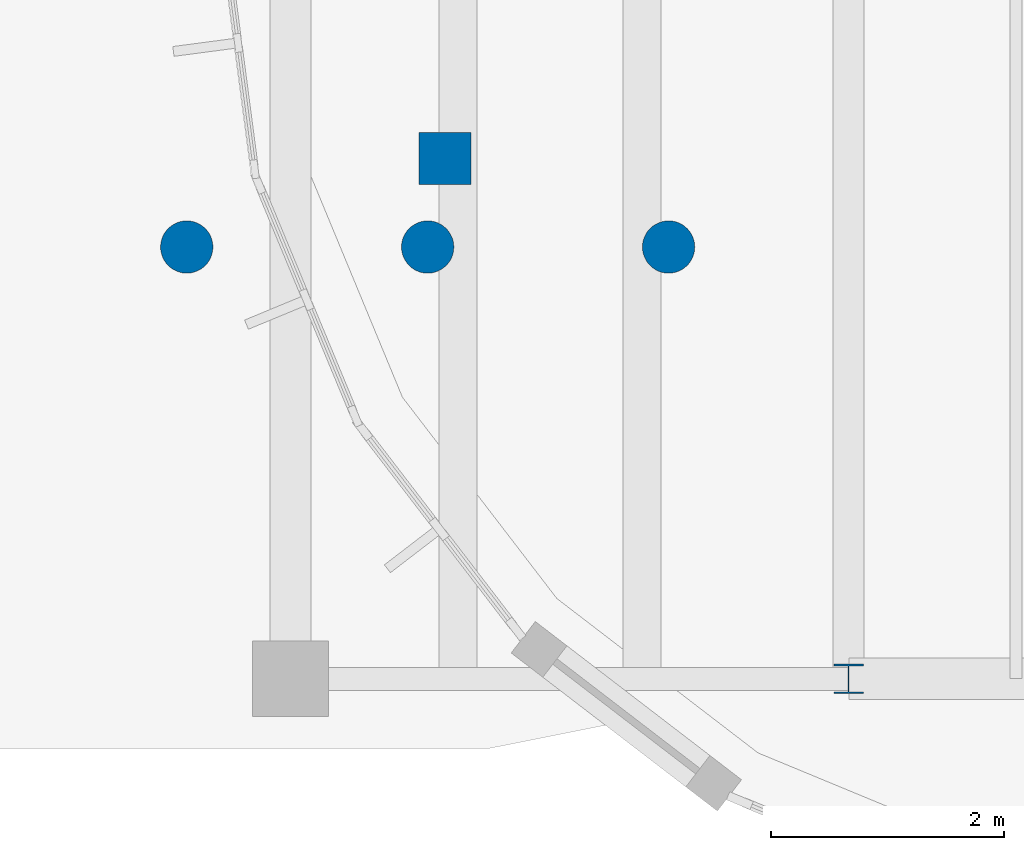
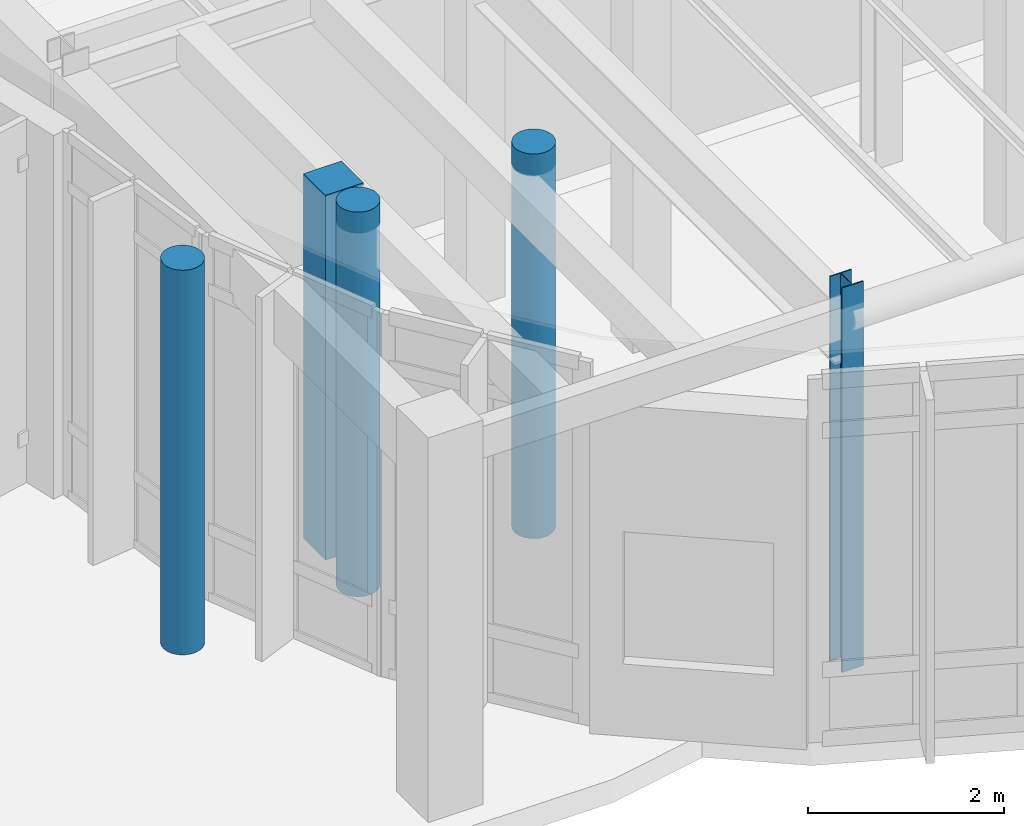
# One storey, part 7 of 120: 5 columns.
"""IFC4 building model written with IfcOpenShell, lengths in metres."""

from ifc_helpers import new_model, si_unit, direction, frame, origin, origin_2d, place, context, subcontext, project, spatial, rectangle, circle, i_section, extrude, material, material_profile, profile_set, type_object, element, save


model = new_model("IFC4")

# Units and contexts
model_context = context("Model", 3, precision=1e-05, world=origin(), true_north=direction((0.0, 1.0)))
body_context = subcontext(model_context, "Body", "Model", "MODEL_VIEW")
ifc_project = project(units=[si_unit("LENGTHUNIT", "METRE"), si_unit("AREAUNIT", "SQUARE_METRE"), si_unit("VOLUMEUNIT", "CUBIC_METRE"), si_unit("PLANEANGLEUNIT", "RADIAN"), si_unit("MASSUNIT", "GRAM", prefix="KILO")], contexts=[model_context])

# Site, building, storey
site_placement = place(None, origin())
site = spatial("IfcSite", under=ifc_project, at=site_placement, CompositionType="ELEMENT")
building_placement = place(site_placement, origin())
building = spatial("IfcBuilding", under=site, at=building_placement, Name="Corveleigh Park Community Centre", CompositionType="ELEMENT")
storey_placement = place(building_placement, origin())
storey = spatial("IfcBuildingStorey", under=building, at=storey_placement, Name="L00", CompositionType="ELEMENT", Elevation=0.0)

# Columns
ifc_material_1 = material(Name="Concrete C40/50", Category="concrete")
ifc_material_profile_1 = material_profile(ifc_material_1, rectangle(XDim=0.449951171875, YDim=0.449951171875, at=origin_2d()), Name="RC-450x450", Category="concrete")
ifc_profile_set_1 = profile_set([ifc_material_profile_1], Name="Concrete C40/50")
column_type_1 = type_object("IfcColumnType", Name="COL-RC-450x450", PredefinedType="COLUMN", material=ifc_profile_set_1)
column_1_placement = place(storey_placement, frame((131.12890625, 63.075927734375, 0.0), z_axis=(0.0, 0.0, 1.0), x_axis=(1.0, 0.0, 0.0)))
element("IfcColumn", 1, at=column_1_placement, inside=storey, type_object=column_type_1, Name="External deck support pier 124 L00", PredefinedType="COLUMN", context=body_context, shape_type="SweptSolid", body=[
    extrude(rectangle(XDim=0.449951171875, YDim=0.449951171875, at=origin_2d()), origin(), (0.0, 0.0, 1.0), 4.552978515625),
])
ifc_material_profile_2 = material_profile(ifc_material_1, circle(Radius=0.22509765625, at=origin_2d()), Name="RC-450D", Category="concrete")
ifc_profile_set_2 = profile_set([ifc_material_profile_2], Name="Concrete C40/50")
column_type_2 = type_object("IfcColumnType", Name="COL-RCE-450D", PredefinedType="COLUMN", material=ifc_profile_set_2)
for number, where, z_axis, x_axis, name in (
    (2, (128.907958984375, 62.31396484375, 0.0), (0.0, 0.0, 1.0), (1.0, 0.0, 0.0), "External deck support pier 252 L00"),
    (3, (130.97998046875, 62.31396484375, 0.0), (0.0, 0.0, 1.0), (1.0, 0.0, 0.0), "External deck support pier 253 L00"),
    (4, (133.052001953125, 62.31396484375, 0.0), (0.0, 0.0, 1.0), (1.0, 0.0, 0.0), "External deck support pier 254 L00"),
):
    element("IfcColumn", number, at=place(storey_placement, frame(where, z_axis=z_axis, x_axis=x_axis)), inside=storey, type_object=column_type_2, Name=name, PredefinedType="COLUMN", context=body_context, shape_type="SweptSolid", body=[
        extrude(circle(Radius=0.22509765625, at=origin_2d()), origin(), (0.0, 0.0, 1.0), 4.800048828125),
    ])
ifc_material_2 = material(Name="Steel S355", Category="steel")
ifc_material_profile_3 = material_profile(ifc_material_2, i_section(OverallWidth=0.254638671875, OverallDepth=0.254150390625, WebThickness=0.008544921875, FlangeThickness=0.01416015625, at=origin_2d()), Name="UKC 254x254x73", Category="steel")
ifc_profile_set_3 = profile_set([ifc_material_profile_3], Name="Steel S355")
column_type_3 = type_object("IfcColumnType", Name="COL-STL-UKC254x73", PredefinedType="COLUMN", material=ifc_profile_set_3)
column_2_placement = place(storey_placement, frame((134.60009765625, 58.60009765625, 0.0), z_axis=(0.0, 0.0, 1.0), x_axis=(1.0, 0.0, 0.0)))
element("IfcColumn", 5, at=column_2_placement, inside=storey, type_object=column_type_3, Name="Column V4-X1Y0 L00", PredefinedType="COLUMN", context=body_context, shape_type="SweptSolid", body=[
    extrude(i_section(OverallWidth=0.254638671875, OverallDepth=0.254150390625, WebThickness=0.008544921875, FlangeThickness=0.01416015625, at=origin_2d()), origin(), (0.0, 0.0, 1.0), 4.800048828125),
])

save(model, "model.ifc")
